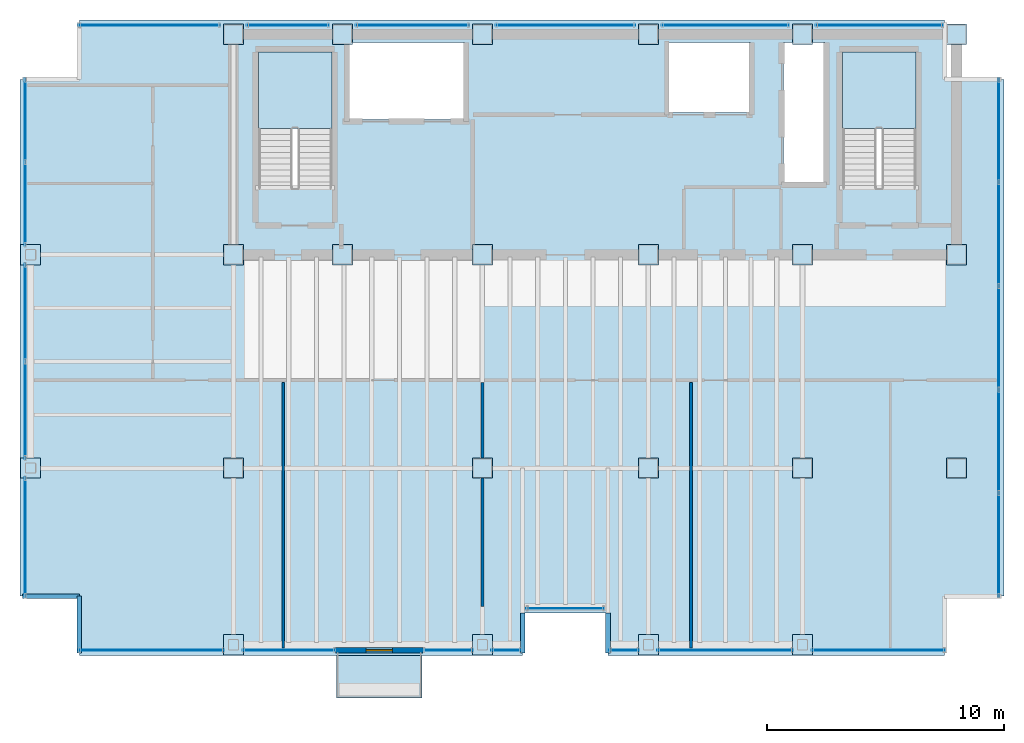
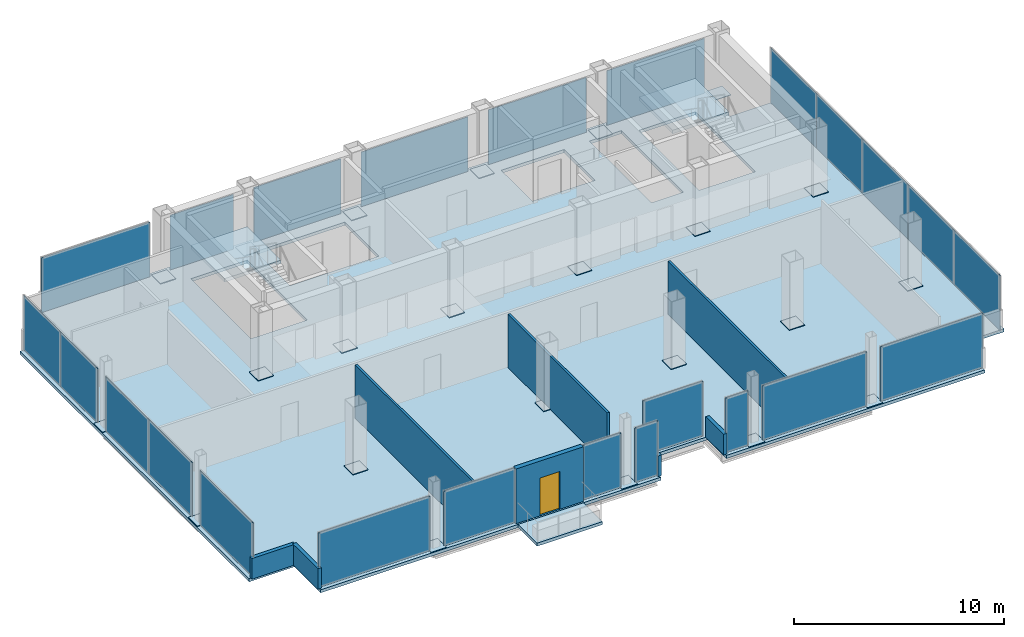
# One storey, part 13 of 16: 47 plates, 8 walls, 4 slabs, 1 door, 6 openings, 20 elements without a shape of their own.
"""IFC4 building model written with IfcOpenShell, lengths in metres."""

import ifcopenshell
import ifcopenshell.guid

model = None  # the IFC model being written
_history = None  # IfcOwnerHistory: only IFC2X3 demands one
_inside = {}  # id of a spatial element -> (the spatial element, [elements in it])
_under = {}  # id of a project, library or spatial element -> (it, [spatial elements below it])
_declared = {}  # id of a project -> (the project, [libraries it declares])
_typed = {}  # id of a type object -> (the type object, [elements of that type])
_made_of = {}  # id of a material, layer set ... -> (it, [elements and type objects made of it])


def new_model(schema):
    """Start an empty IFC model of exactly this schema.

    Asked for "IFC4X3", IfcOpenShell would pick the latest addendum, in which some entities
    have other attributes; the version numbers below select the first issue.
    IFC2X3 requires an IfcOwnerHistory on every rooted entity: one is made here for all.
    """
    global model, _history
    if schema == "IFC4X3":
        model = ifcopenshell.file(schema_version=(4, 3, 0, 0))
    else:
        model = ifcopenshell.file(schema=schema)
    _inside.clear()
    _under.clear()
    _declared.clear()
    _typed.clear()
    _made_of.clear()
    _history = None
    if model.schema == "IFC2X3":
        org = make("IfcOrganization", Name="unknown")
        user = make(
            "IfcPersonAndOrganization",
            ThePerson=make("IfcPerson", FamilyName="unknown"),
            TheOrganization=org,
        )
        app = make(
            "IfcApplication",
            ApplicationDeveloper=org,
            Version="unknown",
            ApplicationFullName="unknown",
            ApplicationIdentifier="unknown",
        )
        _history = make(
            "IfcOwnerHistory",
            OwningUser=user,
            OwningApplication=app,
            ChangeAction="ADDED",
            CreationDate=0,
        )
    return model


def make(cls, **values):
    """One entity of the class cls with the attributes given. An attribute that is None is left unset."""
    return model.create_entity(
        cls, **{name: value for name, value in values.items() if value is not None}
    )


def rooted(cls, **values):
    """An entity with a GlobalId (a new one), such as an element, a storey or a relation."""
    return make(cls, GlobalId=ifcopenshell.guid.new(), OwnerHistory=_history, **values)


def si_unit(unit_type, name, prefix=None):
    """IfcSIUnit, for example si_unit("LENGTHUNIT", "METRE", prefix="MILLI")."""
    return make("IfcSIUnit", UnitType=unit_type, Prefix=prefix, Name=name)


def assignment(units):
    """IfcUnitAssignment: the units of a project."""
    return None if units is None else make("IfcUnitAssignment", Units=units)


def point(xyz):
    """IfcCartesianPoint."""
    return None if xyz is None else make("IfcCartesianPoint", Coordinates=xyz)


def direction(xyz):
    """IfcDirection."""
    return None if xyz is None else make("IfcDirection", DirectionRatios=xyz)


def frame(location, z_axis=None, x_axis=None):
    """IfcAxis2Placement3D, a coordinate frame: its origin and axes. An axis left out is left unset."""
    return make(
        "IfcAxis2Placement3D",
        Location=point(location),
        Axis=direction(z_axis),
        RefDirection=direction(x_axis),
    )


def frame_2d(location, x_axis=None):
    """IfcAxis2Placement2D, a coordinate frame in the plane: its origin and x axis."""
    return make(
        "IfcAxis2Placement2D", Location=point(location), RefDirection=direction(x_axis)
    )


def origin():
    """The frame at (0, 0, 0) with its axes left unset."""
    return frame((0.0, 0.0, 0.0))


def origin_2d():
    """The frame at (0, 0) in the plane with its x axis left unset."""
    return frame_2d((0.0, 0.0))


def place(relative_to, where):
    """IfcLocalPlacement: puts the frame where relative to a parent placement (None: the world)."""
    return make(
        "IfcLocalPlacement", PlacementRelTo=relative_to, RelativePlacement=where
    )


def context(
    kind, dimensions, precision=None, world=None, true_north=None, identifier=None
):
    """IfcGeometricRepresentationContext, for example the 3D "Model" context."""
    return make(
        "IfcGeometricRepresentationContext",
        ContextIdentifier=identifier,
        ContextType=kind,
        CoordinateSpaceDimension=dimensions,
        Precision=precision,
        WorldCoordinateSystem=world,
        TrueNorth=true_north,
    )


def subcontext(parent, identifier, kind, view, scale=None):
    """IfcGeometricRepresentationSubContext, for example "Body" below "Model"."""
    return make(
        "IfcGeometricRepresentationSubContext",
        ContextIdentifier=identifier,
        ContextType=kind,
        ParentContext=parent,
        TargetScale=scale,
        TargetView=view,
    )


def project(units=None, contexts=None):
    """IfcProject with its units and contexts."""
    return rooted(
        "IfcProject",
        Name="project",
        RepresentationContexts=contexts,
        UnitsInContext=assignment(units),
    )


def spatial(cls, under=None, at=None, **own):
    """A site, building, storey or space (cls), placed at a placement, below another one or the project."""
    s = rooted(cls, ObjectPlacement=at, **own)
    if under is not None:
        _under.setdefault(under.id(), (under, []))[1].append(s)
    return s


def polyline(points):
    """IfcPolyline through the points."""
    return make("IfcPolyline", Points=[point(p) for p in points])


def profile(cls, at=None, kind="AREA", **sizes):
    """A parametric profile (cls). Its sizes go by their IFC names, for example OverallWidth=200.0."""
    return make(cls, ProfileType=kind, Position=at, **sizes)


def rectangle(**sizes):
    """IfcRectangleProfileDef."""
    return profile("IfcRectangleProfileDef", **sizes)


def outline(outer, holes=None, kind="AREA"):
    """IfcArbitraryClosedProfileDef: a profile drawn as a closed curve; with holes, ...WithVoids."""
    if holes is None:
        return make("IfcArbitraryClosedProfileDef", ProfileType=kind, OuterCurve=outer)
    return make(
        "IfcArbitraryProfileDefWithVoids",
        ProfileType=kind,
        OuterCurve=outer,
        InnerCurves=holes,
    )


def extrude(swept, where, along, depth):
    """IfcExtrudedAreaSolid: the profile swept, set in the frame where, extruded along a direction by depth."""
    return make(
        "IfcExtrudedAreaSolid",
        SweptArea=swept,
        Position=where,
        ExtrudedDirection=direction(along),
        Depth=depth,
    )


def shape(context_of_items, identifier, shape_type, items):
    """IfcShapeRepresentation: the items that make up one representation, for example the "Body"."""
    return make(
        "IfcShapeRepresentation",
        ContextOfItems=context_of_items,
        RepresentationIdentifier=identifier,
        RepresentationType=shape_type,
        Items=items,
    )


def material(Name=None, Category=None):
    """IfcMaterial."""
    return make("IfcMaterial", Name=Name, Category=Category)


def layer(
    of_material, thickness, ventilated=None, Name=None, Category=None, Priority=None
):
    """IfcMaterialLayer: one layer of a wall or slab, of a material (None: an air gap)."""
    return make(
        "IfcMaterialLayer",
        Material=of_material,
        LayerThickness=thickness,
        IsVentilated=ventilated,
        Name=Name,
        Category=Category,
        Priority=Priority,
    )


def layer_set(layers, Name=None):
    """IfcMaterialLayerSet."""
    return make("IfcMaterialLayerSet", MaterialLayers=layers, LayerSetName=Name)


def made_of(thing, what):
    """Note that an element or type object is made of a material, layer set ...; save() writes the relation."""
    if what is not None:
        _made_of.setdefault(what.id(), (what, []))[1].append(thing)
    return thing


def type_object(cls, material=None, **own):
    """A type object (cls), such as IfcWallType, which elements share."""
    return made_of(rooted(cls, **own), material)


def element(
    cls,
    number,
    at=None,
    inside=None,
    cuts=None,
    type_object=None,
    material=None,
    context=None,
    identifier="Body",
    shape_type=None,
    held_by="IfcProductDefinitionShape",
    body=None,
    shapes=None,
    **own,
):
    """One element of the class cls, such as IfcWall. Its Tag is "e" and its number.

    at: its placement. inside: the storey or other place that contains it. cuts: it is an
    opening in that element (IfcRelVoidsElement). A single representation is given by context,
    identifier, shape_type and body (its items); several are given by shapes. held_by: the class
    of the entity that holds the representations. save() writes the other relations.
    """
    e = rooted(cls, Tag="e%d" % number, ObjectPlacement=at, **own)
    if body is not None:
        shapes = [shape(context, identifier, shape_type, body)]
    if shapes is not None:
        e.Representation = make(held_by, Representations=shapes)
    if inside is not None:
        _inside.setdefault(inside.id(), (inside, []))[1].append(e)
    if cuts is not None:
        rooted(
            "IfcRelVoidsElement", RelatingBuildingElement=cuts, RelatedOpeningElement=e
        )
    if type_object is not None:
        _typed.setdefault(type_object.id(), (type_object, []))[1].append(e)
    return made_of(e, material)


def fill(opening, filler):
    """IfcRelFillsElement: the door or window that sits in an opening."""
    return rooted(
        "IfcRelFillsElement",
        RelatingOpeningElement=opening,
        RelatedBuildingElement=filler,
    )


def aggregate(whole, parts):
    """IfcRelAggregates: a whole, such as a stair, and the parts it consists of."""
    return rooted("IfcRelAggregates", RelatingObject=whole, RelatedObjects=parts)


def save(model, path):
    """Write the relations noted so far, then the file.

    IfcRelAggregates (storeys below a building ...), IfcRelContainedInSpatialStructure (elements
    in a storey), IfcRelDefinesByType, IfcRelAssociatesMaterial and IfcRelDeclares: one each for
    every whole, place, type object, material and project.
    """
    for whole, parts in _under.values():
        aggregate(whole, parts)
    for where, things in _inside.values():
        rooted(
            "IfcRelContainedInSpatialStructure",
            RelatedElements=things,
            RelatingStructure=where,
        )
    for kind, things in _typed.values():
        rooted("IfcRelDefinesByType", RelatedObjects=things, RelatingType=kind)
    for what, things in _made_of.values():
        rooted("IfcRelAssociatesMaterial", RelatedObjects=things, RelatingMaterial=what)
    for by, libraries in _declared.values():
        rooted("IfcRelDeclares", RelatingContext=by, RelatedDefinitions=libraries)
    model.write(path)


model = new_model("IFC4")

# Units and contexts
model_context = context("Model", 3, precision=1e-05, world=origin(), true_north=direction((0.0, 1.0)))
body_context = subcontext(model_context, "Body", "Model", "MODEL_VIEW")
ifc_project = project(units=[si_unit("LENGTHUNIT", "METRE"), si_unit("AREAUNIT", "SQUARE_METRE"), si_unit("VOLUMEUNIT", "CUBIC_METRE"), si_unit("PLANEANGLEUNIT", "RADIAN"), si_unit("MASSUNIT", "GRAM", prefix="KILO")], contexts=[model_context])

# Site, building, storey
site_placement = place(None, origin())
site = spatial("IfcSite", under=ifc_project, at=site_placement, CompositionType="ELEMENT")
building_placement = place(site_placement, origin())
building = spatial("IfcBuilding", under=site, at=building_placement, Name="Noeulbin Bourse Tower", CompositionType="ELEMENT")
storey_placement = place(building_placement, frame((0.0, 0.0, 238.39990234375)))
storey = spatial("IfcBuildingStorey", under=building, at=storey_placement, Name="L59", CompositionType="ELEMENT", Elevation=238.39990234375)

# Curtain wall, plate
ifc_material_1 = material(Name="High-Selectivity Low-Iron Glazing", Category="glass")
curtain_wall_type = type_object("IfcCurtainWallType", Name="CW-SYS-4", PredefinedType="NOTDEFINED", material=ifc_material_1)
curtain_wall_1_placement = place(storey_placement, origin())
curtain_wall_1 = element("IfcCurtainWall", 1, at=curtain_wall_1_placement, inside=storey, type_object=curtain_wall_type, Name="Unitised Curtain Wall CW-L59-SREC", PredefinedType="NOTDEFINED")
ifc_layer_1 = layer(ifc_material_1, 0.035888671875)
ifc_layer_set_1 = layer_set([ifc_layer_1], Name="High-Selectivity Low-Iron Glazing")
plate_type_1 = type_object("IfcPlateType", Name="CW-SYS-4-PNL", PredefinedType="CURTAIN_PANEL", material=ifc_layer_set_1)
plate_1_placement = place(storey_placement, frame((27.5, 14.080078125, 0.0), z_axis=(0.0, 0.0, 1.0), x_axis=(1.0, 0.0, 0.0)))
plate_1 = element("IfcPlate", 2, at=plate_1_placement, type_object=plate_type_1, Name="Glazed Curtain Panel CW-L59-SREC-P00", PredefinedType="CURTAIN_PANEL", context=body_context, shape_type="SweptSolid", body=[
    extrude(rectangle(XDim=3.300048828125, YDim=0.035888671875, at=origin_2d()), origin(), (0.0, 0.0, 1.0), 3.179931640625),
])
aggregate(curtain_wall_1, [plate_1])

curtain_wall_2_placement = place(storey_placement, origin())
curtain_wall_2 = element("IfcCurtainWall", 3, at=curtain_wall_2_placement, inside=storey, type_object=curtain_wall_type, Name="Unitised Curtain Wall CW-L59-S1-S1", PredefinedType="NOTDEFINED")
plate_2_placement = place(storey_placement, frame((10.047607421875, 12.320068359375, 0.0), z_axis=(0.0, 0.0, 1.0), x_axis=(1.0, 0.0, 0.0)))
plate_2 = element("IfcPlate", 4, at=plate_2_placement, type_object=plate_type_1, Name="Glazed Curtain Panel CW-L59-S1-S1-P00", PredefinedType="CURTAIN_PANEL", context=body_context, shape_type="SweptSolid", body=[
    extrude(rectangle(XDim=6.135009765625, YDim=0.035888671875, at=origin_2d()), origin(), (0.0, 0.0, 1.0), 3.179931640625),
])
aggregate(curtain_wall_2, [plate_2])

curtain_wall_3_placement = place(storey_placement, origin())
curtain_wall_3 = element("IfcCurtainWall", 5, at=curtain_wall_3_placement, inside=storey, type_object=curtain_wall_type, Name="Unitised Curtain Wall CW-L59-S1-S2", PredefinedType="NOTDEFINED")
plate_3_placement = place(storey_placement, frame((15.842529296875, 12.320068359375, 0.0), z_axis=(0.0, 0.0, 1.0), x_axis=(1.0, 0.0, 0.0)))
plate_3 = element("IfcPlate", 6, at=plate_3_placement, type_object=plate_type_1, Name="Glazed Curtain Panel CW-L59-S1-S2-P00", PredefinedType="CURTAIN_PANEL", context=body_context, shape_type="SweptSolid", body=[
    extrude(rectangle(XDim=3.9150390625, YDim=0.035888671875, at=origin_2d()), origin(), (0.0, 0.0, 1.0), 3.179931640625),
])
aggregate(curtain_wall_3, [plate_3])

curtain_wall_4_placement = place(storey_placement, origin())
curtain_wall_4 = element("IfcCurtainWall", 7, at=curtain_wall_4_placement, inside=storey, type_object=curtain_wall_type, Name="Unitised Curtain Wall CW-L59-S2-S1", PredefinedType="NOTDEFINED")
plate_4_placement = place(storey_placement, frame((22.5576171875, 12.320068359375, 0.0), z_axis=(0.0, 0.0, 1.0), x_axis=(1.0, 0.0, 0.0)))
plate_4 = element("IfcPlate", 8, at=plate_4_placement, type_object=plate_type_1, Name="Glazed Curtain Panel CW-L59-S2-S1-P00", PredefinedType="CURTAIN_PANEL", context=body_context, shape_type="SweptSolid", body=[
    extrude(rectangle(XDim=2.114990234375, YDim=0.035888671875, at=origin_2d()), origin(), (0.0, 0.0, 1.0), 3.179931640625),
])
aggregate(curtain_wall_4, [plate_4])

curtain_wall_5_placement = place(storey_placement, origin())
curtain_wall_5 = element("IfcCurtainWall", 9, at=curtain_wall_5_placement, inside=storey, type_object=curtain_wall_type, Name="Unitised Curtain Wall CW-L59-S2-S2", PredefinedType="NOTDEFINED")
plate_5_placement = place(storey_placement, frame((25.017578125, 12.320068359375, 0.0), z_axis=(0.0, 0.0, 1.0), x_axis=(1.0, 0.0, 0.0)))
plate_5 = element("IfcPlate", 10, at=plate_5_placement, type_object=plate_type_1, Name="Glazed Curtain Panel CW-L59-S2-S2-P00", PredefinedType="CURTAIN_PANEL", context=body_context, shape_type="SweptSolid", body=[
    extrude(rectangle(XDim=1.264892578125, YDim=0.035888671875, at=origin_2d()), origin(), (0.0, 0.0, 1.0), 3.179931640625),
])
aggregate(curtain_wall_5, [plate_5])

curtain_wall_6_placement = place(storey_placement, origin())
curtain_wall_6 = element("IfcCurtainWall", 11, at=curtain_wall_6_placement, inside=storey, type_object=curtain_wall_type, Name="Unitised Curtain Wall CW-L59-S3-S1", PredefinedType="NOTDEFINED")
plate_6_placement = place(storey_placement, frame((29.982421875, 12.320068359375, 0.0), z_axis=(0.0, 0.0, 1.0), x_axis=(1.0, 0.0, 0.0)))
plate_6 = element("IfcPlate", 12, at=plate_6_placement, type_object=plate_type_1, Name="Glazed Curtain Panel CW-L59-S3-S1-P00", PredefinedType="CURTAIN_PANEL", context=body_context, shape_type="SweptSolid", body=[
    extrude(rectangle(XDim=1.264892578125, YDim=0.035888671875, at=origin_2d()), origin(), (0.0, 0.0, 1.0), 3.179931640625),
])
aggregate(curtain_wall_6, [plate_6])

curtain_wall_7_placement = place(storey_placement, origin())
curtain_wall_7 = element("IfcCurtainWall", 13, at=curtain_wall_7_placement, inside=storey, type_object=curtain_wall_type, Name="Unitised Curtain Wall CW-L59-S3-S2", PredefinedType="NOTDEFINED")
plate_7_placement = place(storey_placement, frame((34.25, 12.320068359375, 0.0), z_axis=(0.0, 0.0, 1.0), x_axis=(1.0, 0.0, 0.0)))
plate_7 = element("IfcPlate", 14, at=plate_7_placement, type_object=plate_type_1, Name="Glazed Curtain Panel CW-L59-S3-S2-P00", PredefinedType="CURTAIN_PANEL", context=body_context, shape_type="SweptSolid", body=[
    extrude(rectangle(XDim=5.72998046875, YDim=0.035888671875, at=origin_2d()), origin(), (0.0, 0.0, 1.0), 3.179931640625),
])
aggregate(curtain_wall_7, [plate_7])

curtain_wall_8_placement = place(storey_placement, origin())
curtain_wall_8 = element("IfcCurtainWall", 15, at=curtain_wall_8_placement, inside=storey, type_object=curtain_wall_type, Name="Unitised Curtain Wall CW-L59-S3-S3", PredefinedType="NOTDEFINED")
plate_8_placement = place(storey_placement, frame((40.702392578125, 12.320068359375, 0.0), z_axis=(0.0, 0.0, 1.0), x_axis=(1.0, 0.0, 0.0)))
plate_8 = element("IfcPlate", 16, at=plate_8_placement, type_object=plate_type_1, Name="Glazed Curtain Panel CW-L59-S3-S3-P00", PredefinedType="CURTAIN_PANEL", context=body_context, shape_type="SweptSolid", body=[
    extrude(rectangle(XDim=5.635009765625, YDim=0.035888671875, at=origin_2d()), origin(), (0.0, 0.0, 1.0), 3.179931640625),
])
aggregate(curtain_wall_8, [plate_8])

curtain_wall_9_placement = place(storey_placement, origin())
curtain_wall_9 = element("IfcCurtainWall", 17, at=curtain_wall_9_placement, inside=storey, type_object=curtain_wall_type, Name="Unitised Curtain Wall CW-L59-N-S1", PredefinedType="NOTDEFINED")
plate_9_placement = place(storey_placement, frame((9.9599609375, 38.679931640625, 0.0), z_axis=(0.0, 0.0, 1.0), x_axis=(1.0, 0.0, 0.0)))
plate_9 = element("IfcPlate", 18, at=plate_9_placement, type_object=plate_type_1, Name="Glazed Curtain Panel CW-L59-N-S1-P00", PredefinedType="CURTAIN_PANEL", context=body_context, shape_type="SweptSolid", body=[
    extrude(rectangle(XDim=5.9599609375, YDim=0.035888671875, at=origin_2d()), origin(), (0.0, 0.0, 1.0), 3.179931640625),
])
aggregate(curtain_wall_9, [plate_9])

curtain_wall_10_placement = place(storey_placement, origin())
curtain_wall_10 = element("IfcCurtainWall", 19, at=curtain_wall_10_placement, inside=storey, type_object=curtain_wall_type, Name="Unitised Curtain Wall CW-L59-N-S2", PredefinedType="NOTDEFINED")
plate_10_placement = place(storey_placement, frame((15.800048828125, 38.679931640625, 0.0), z_axis=(0.0, 0.0, 1.0), x_axis=(1.0, 0.0, 0.0)))
plate_10 = element("IfcPlate", 20, at=plate_10_placement, type_object=plate_type_1, Name="Glazed Curtain Panel CW-L59-N-S2-P00", PredefinedType="CURTAIN_PANEL", context=body_context, shape_type="SweptSolid", body=[
    extrude(rectangle(XDim=3.47998046875, YDim=0.035888671875, at=origin_2d()), origin(), (0.0, 0.0, 1.0), 3.179931640625),
])
aggregate(curtain_wall_10, [plate_10])

curtain_wall_11_placement = place(storey_placement, origin())
curtain_wall_11 = element("IfcCurtainWall", 21, at=curtain_wall_11_placement, inside=storey, type_object=curtain_wall_type, Name="Unitised Curtain Wall CW-L59-N-S3", PredefinedType="NOTDEFINED")
plate_11_placement = place(storey_placement, frame((21.050048828125, 38.679931640625, 0.0), z_axis=(0.0, 0.0, 1.0), x_axis=(1.0, 0.0, 0.0)))
plate_11 = element("IfcPlate", 22, at=plate_11_placement, type_object=plate_type_1, Name="Glazed Curtain Panel CW-L59-N-S3-P00", PredefinedType="CURTAIN_PANEL", context=body_context, shape_type="SweptSolid", body=[
    extrude(rectangle(XDim=4.780029296875, YDim=0.035888671875, at=origin_2d()), origin(), (0.0, 0.0, 1.0), 3.179931640625),
])
aggregate(curtain_wall_11, [plate_11])

curtain_wall_12_placement = place(storey_placement, origin())
curtain_wall_12 = element("IfcCurtainWall", 23, at=curtain_wall_12_placement, inside=storey, type_object=curtain_wall_type, Name="Unitised Curtain Wall CW-L59-N-S4", PredefinedType="NOTDEFINED")
plate_12_placement = place(storey_placement, frame((27.5, 38.679931640625, 0.0), z_axis=(0.0, 0.0, 1.0), x_axis=(1.0, 0.0, 0.0)))
plate_12 = element("IfcPlate", 24, at=plate_12_placement, type_object=plate_type_1, Name="Glazed Curtain Panel CW-L59-N-S4-P00", PredefinedType="CURTAIN_PANEL", context=body_context, shape_type="SweptSolid", body=[
    extrude(rectangle(XDim=5.8798828125, YDim=0.035888671875, at=origin_2d()), origin(), (0.0, 0.0, 1.0), 3.179931640625),
])
aggregate(curtain_wall_12, [plate_12])

curtain_wall_13_placement = place(storey_placement, origin())
curtain_wall_13 = element("IfcCurtainWall", 25, at=curtain_wall_13_placement, inside=storey, type_object=curtain_wall_type, Name="Unitised Curtain Wall CW-L59-N-S5", PredefinedType="NOTDEFINED")
plate_13_placement = place(storey_placement, frame((34.25, 38.679931640625, 0.0), z_axis=(0.0, 0.0, 1.0), x_axis=(1.0, 0.0, 0.0)))
plate_13 = element("IfcPlate", 26, at=plate_13_placement, type_object=plate_type_1, Name="Glazed Curtain Panel CW-L59-N-S5-P00", PredefinedType="CURTAIN_PANEL", context=body_context, shape_type="SweptSolid", body=[
    extrude(rectangle(XDim=5.3798828125, YDim=0.035888671875, at=origin_2d()), origin(), (0.0, 0.0, 1.0), 3.179931640625),
])
aggregate(curtain_wall_13, [plate_13])

curtain_wall_14_placement = place(storey_placement, origin())
curtain_wall_14 = element("IfcCurtainWall", 27, at=curtain_wall_14_placement, inside=storey, type_object=curtain_wall_type, Name="Unitised Curtain Wall CW-L59-N-S6", PredefinedType="NOTDEFINED")
plate_14_placement = place(storey_placement, frame((40.75, 38.679931640625, 0.0), z_axis=(0.0, 0.0, 1.0), x_axis=(1.0, 0.0, 0.0)))
plate_14 = element("IfcPlate", 28, at=plate_14_placement, type_object=plate_type_1, Name="Glazed Curtain Panel CW-L59-N-S6-P00", PredefinedType="CURTAIN_PANEL", context=body_context, shape_type="SweptSolid", body=[
    extrude(rectangle(XDim=5.3798828125, YDim=0.035888671875, at=origin_2d()), origin(), (0.0, 0.0, 1.0), 3.179931640625),
])
aggregate(curtain_wall_14, [plate_14])

curtain_wall_15_placement = place(storey_placement, origin())
curtain_wall_15 = element("IfcCurtainWall", 29, at=curtain_wall_15_placement, inside=storey, type_object=curtain_wall_type, Name="Unitised Curtain Wall CW-L59-W-S1", PredefinedType="NOTDEFINED")
plate_15_placement = place(storey_placement, frame((4.719970703125, 17.097412109375, 0.0), z_axis=(0.0, 0.0, 1.0), x_axis=(0.0, 1.0, 0.0)))
plate_15 = element("IfcPlate", 30, at=plate_15_placement, type_object=plate_type_1, Name="Glazed Curtain Panel CW-L59-W-S1-P00", PredefinedType="CURTAIN_PANEL", context=body_context, shape_type="SweptSolid", body=[
    extrude(rectangle(XDim=5.034912109375, YDim=0.035888671875, at=origin_2d()), origin(), (0.0, 0.0, 1.0), 3.179931640625),
])
aggregate(curtain_wall_15, [plate_15])

# Curtain wall, plates
curtain_wall_16_placement = place(storey_placement, origin())
curtain_wall_16 = element("IfcCurtainWall", 31, at=curtain_wall_16_placement, inside=storey, type_object=curtain_wall_type, Name="Unitised Curtain Wall CW-L59-W-S2", PredefinedType="NOTDEFINED")
plate_16_placement = place(storey_placement, frame((4.719970703125, 22.4423828125, 0.0), z_axis=(0.0, 0.0, 1.0), x_axis=(0.0, 1.0, 0.0)))
plate_16 = element("IfcPlate", 32, at=plate_16_placement, type_object=plate_type_1, Name="Glazed Curtain Panel CW-L59-W-S2-P00", PredefinedType="CURTAIN_PANEL", context=body_context, shape_type="SweptSolid", body=[
    extrude(rectangle(XDim=4.114990234375, YDim=0.035888671875, at=origin_2d()), origin(), (0.0, 0.0, 1.0), 3.179931640625),
])
plate_17_placement = place(storey_placement, frame((4.719970703125, 26.5576171875, 0.0), z_axis=(0.0, 0.0, 1.0), x_axis=(0.0, 1.0, 0.0)))
plate_17 = element("IfcPlate", 33, at=plate_17_placement, type_object=plate_type_1, Name="Glazed Curtain Panel CW-L59-W-S2-P01", PredefinedType="CURTAIN_PANEL", context=body_context, shape_type="SweptSolid", body=[
    extrude(rectangle(XDim=4.114990234375, YDim=0.035888671875, at=origin_2d()), origin(), (0.0, 0.0, 1.0), 3.179931640625),
])
aggregate(curtain_wall_16, [plate_16, plate_17])

curtain_wall_17_placement = place(storey_placement, origin())
curtain_wall_17 = element("IfcCurtainWall", 34, at=curtain_wall_17_placement, inside=storey, type_object=curtain_wall_type, Name="Unitised Curtain Wall CW-L59-W-S3", PredefinedType="NOTDEFINED")
plate_18_placement = place(storey_placement, frame((4.719970703125, 31.143798828125, 0.0), z_axis=(0.0, 0.0, 1.0), x_axis=(0.0, 1.0, 0.0)))
plate_18 = element("IfcPlate", 35, at=plate_18_placement, type_object=plate_type_1, Name="Glazed Curtain Panel CW-L59-W-S3-P00", PredefinedType="CURTAIN_PANEL", context=body_context, shape_type="SweptSolid", body=[
    extrude(rectangle(XDim=3.517578125, YDim=0.035888671875, at=origin_2d()), origin(), (0.0, 0.0, 1.0), 3.179931640625),
])
plate_19_placement = place(storey_placement, frame((4.719970703125, 34.661376953125, 0.0), z_axis=(0.0, 0.0, 1.0), x_axis=(0.0, 1.0, 0.0)))
plate_19 = element("IfcPlate", 36, at=plate_19_placement, type_object=plate_type_1, Name="Glazed Curtain Panel CW-L59-W-S3-P01", PredefinedType="CURTAIN_PANEL", context=body_context, shape_type="SweptSolid", body=[
    extrude(rectangle(XDim=3.517578125, YDim=0.035888671875, at=origin_2d()), origin(), (0.0, 0.0, 1.0), 3.179931640625),
])
aggregate(curtain_wall_17, [plate_18, plate_19])

curtain_wall_18_placement = place(storey_placement, origin())
curtain_wall_18 = element("IfcCurtainWall", 37, at=curtain_wall_18_placement, inside=storey, type_object=curtain_wall_type, Name="Unitised Curtain Wall CW-L59-E", PredefinedType="NOTDEFINED")
plate_20_placement = place(storey_placement, frame((45.780029296875, 16.763916015625, 0.0), z_axis=(0.0, 0.0, 1.0), x_axis=(0.0, 1.0, 0.0)))
plate_20 = element("IfcPlate", 38, at=plate_20_placement, type_object=plate_type_1, Name="Glazed Curtain Panel CW-L59-E-P00", PredefinedType="CURTAIN_PANEL", context=body_context, shape_type="SweptSolid", body=[
    extrude(rectangle(XDim=4.367919921875, YDim=0.035888671875, at=origin_2d()), origin(), (0.0, 0.0, 1.0), 3.179931640625),
])
plate_21_placement = place(storey_placement, frame((45.780029296875, 21.132080078125, 0.0), z_axis=(0.0, 0.0, 1.0), x_axis=(0.0, 1.0, 0.0)))
plate_21 = element("IfcPlate", 39, at=plate_21_placement, type_object=plate_type_1, Name="Glazed Curtain Panel CW-L59-E-P01", PredefinedType="CURTAIN_PANEL", context=body_context, shape_type="SweptSolid", body=[
    extrude(rectangle(XDim=4.367919921875, YDim=0.035888671875, at=origin_2d()), origin(), (0.0, 0.0, 1.0), 3.179931640625),
])
plate_22_placement = place(storey_placement, frame((45.780029296875, 25.5, 0.0), z_axis=(0.0, 0.0, 1.0), x_axis=(0.0, 1.0, 0.0)))
plate_22 = element("IfcPlate", 40, at=plate_22_placement, type_object=plate_type_1, Name="Glazed Curtain Panel CW-L59-E-P02", PredefinedType="CURTAIN_PANEL", context=body_context, shape_type="SweptSolid", body=[
    extrude(rectangle(XDim=4.367919921875, YDim=0.035888671875, at=origin_2d()), origin(), (0.0, 0.0, 1.0), 3.179931640625),
])
plate_23_placement = place(storey_placement, frame((45.780029296875, 29.867919921875, 0.0), z_axis=(0.0, 0.0, 1.0), x_axis=(0.0, 1.0, 0.0)))
plate_23 = element("IfcPlate", 41, at=plate_23_placement, type_object=plate_type_1, Name="Glazed Curtain Panel CW-L59-E-P03", PredefinedType="CURTAIN_PANEL", context=body_context, shape_type="SweptSolid", body=[
    extrude(rectangle(XDim=4.367919921875, YDim=0.035888671875, at=origin_2d()), origin(), (0.0, 0.0, 1.0), 3.179931640625),
])
plate_24_placement = place(storey_placement, frame((45.780029296875, 34.236083984375, 0.0), z_axis=(0.0, 0.0, 1.0), x_axis=(0.0, 1.0, 0.0)))
plate_24 = element("IfcPlate", 42, at=plate_24_placement, type_object=plate_type_1, Name="Glazed Curtain Panel CW-L59-E-P04", PredefinedType="CURTAIN_PANEL", context=body_context, shape_type="SweptSolid", body=[
    extrude(rectangle(XDim=4.367919921875, YDim=0.035888671875, at=origin_2d()), origin(), (0.0, 0.0, 1.0), 3.179931640625),
])
aggregate(curtain_wall_18, [plate_20, plate_21, plate_22, plate_23, plate_24])

# Plates
ifc_material_2 = material(Name="Steel S355", Category="steel")
ifc_layer_2 = layer(ifc_material_2, 0.030029296875)
ifc_layer_set_2 = layer_set([ifc_layer_2], Name="Steel S355")
plate_type_2 = type_object("IfcPlateType", Name="PLT-BN1", PredefinedType="USERDEFINED", material=ifc_layer_set_2)
for number, where, z_axis, x_axis, name in (
    (43, (13.5, 29.0, 0.0048828125), (0.0, 0.0, 1.0), (1.0, 0.0, 0.0), "Mega-Column Splice Plate BN1-L59-01"),
    (44, (13.5, 38.300048828125, 0.0048828125), (0.0, 0.0, 1.0), (1.0, 0.0, 0.0), "Mega-Column Splice Plate BN1-L59-02"),
    (45, (18.10009765625, 29.0, 0.0048828125), (0.0, 0.0, 1.0), (1.0, 0.0, 0.0), "Mega-Column Splice Plate BN1-L59-03"),
    (46, (18.10009765625, 38.300048828125, 0.0048828125), (0.0, 0.0, 1.0), (1.0, 0.0, 0.0), "Mega-Column Splice Plate BN1-L59-04"),
    (47, (24.0, 29.0, 0.0048828125), (0.0, 0.0, 1.0), (1.0, 0.0, 0.0), "Mega-Column Splice Plate BN1-L59-05"),
    (48, (24.0, 38.300048828125, 0.0048828125), (0.0, 0.0, 1.0), (1.0, 0.0, 0.0), "Mega-Column Splice Plate BN1-L59-06"),
    (49, (31.0, 29.0, 0.0048828125), (0.0, 0.0, 1.0), (1.0, 0.0, 0.0), "Mega-Column Splice Plate BN1-L59-07"),
    (50, (31.0, 38.300048828125, 0.0048828125), (0.0, 0.0, 1.0), (1.0, 0.0, 0.0), "Mega-Column Splice Plate BN1-L59-08"),
    (51, (37.5, 29.0, 0.0048828125), (0.0, 0.0, 1.0), (1.0, 0.0, 0.0), "Mega-Column Splice Plate BN1-L59-09"),
    (52, (37.5, 38.300048828125, 0.0048828125), (0.0, 0.0, 1.0), (1.0, 0.0, 0.0), "Mega-Column Splice Plate BN1-L59-10"),
    (53, (44.0, 29.0, 0.0048828125), (0.0, 0.0, 1.0), (1.0, 0.0, 0.0), "Mega-Column Splice Plate BN1-L59-11"),
    (54, (44.0, 38.300048828125, 0.0048828125), (0.0, 0.0, 1.0), (1.0, 0.0, 0.0), "Mega-Column Splice Plate BN1-L59-12"),
    (55, (13.5, 20.0, 0.0048828125), (0.0, 0.0, 1.0), (1.0, 0.0, 0.0), "Mega-Column Splice Plate BN1-L59-13"),
    (56, (24.0, 20.0, 0.0048828125), (0.0, 0.0, 1.0), (1.0, 0.0, 0.0), "Mega-Column Splice Plate BN1-L59-14"),
    (57, (31.0, 20.0, 0.0048828125), (0.0, 0.0, 1.0), (1.0, 0.0, 0.0), "Mega-Column Splice Plate BN1-L59-15"),
    (58, (37.5, 20.0, 0.0048828125), (0.0, 0.0, 1.0), (1.0, 0.0, 0.0), "Mega-Column Splice Plate BN1-L59-16"),
    (59, (44.0, 20.0, 0.0048828125), (0.0, 0.0, 1.0), (1.0, 0.0, 0.0), "Mega-Column Splice Plate BN1-L59-17"),
    (60, (4.949951171875, 20.0, 0.0048828125), (0.0, 0.0, 1.0), (1.0, 0.0, 0.0), "Perimeter Column Splice Plate BN1-L59-01"),
    (61, (4.949951171875, 29.0, 0.0048828125), (0.0, 0.0, 1.0), (1.0, 0.0, 0.0), "Perimeter Column Splice Plate BN1-L59-02"),
    (62, (13.5, 12.550048828125, 0.0048828125), (0.0, 0.0, 1.0), (1.0, 0.0, 0.0), "Perimeter Column Splice Plate BN1-L59-03"),
    (63, (24.0, 12.550048828125, 0.0048828125), (0.0, 0.0, 1.0), (1.0, 0.0, 0.0), "Perimeter Column Splice Plate BN1-L59-04"),
    (64, (31.0, 12.550048828125, 0.0048828125), (0.0, 0.0, 1.0), (1.0, 0.0, 0.0), "Perimeter Column Splice Plate BN1-L59-05"),
    (65, (37.5, 12.550048828125, 0.0048828125), (0.0, 0.0, 1.0), (1.0, 0.0, 0.0), "Perimeter Column Splice Plate BN1-L59-06"),
):
    element("IfcPlate", number, at=place(storey_placement, frame(where, z_axis=z_axis, x_axis=x_axis)), inside=storey, type_object=plate_type_2, Name=name, ObjectType="SPLICE PLATE", PredefinedType="USERDEFINED", context=body_context, shape_type="SweptSolid", body=[
        extrude(rectangle(XDim=0.85009765625, YDim=0.85009765625, at=origin_2d()), origin(), (0.0, 0.0, 1.0), 0.030029296875),
    ])

# Stair, slab
ifc_material_3 = material(Name="Concrete C40/50", Category="concrete")
stair_type = type_object("IfcStairType", Name="STR-CORE-1560", PredefinedType="HALF_TURN_STAIR", material=ifc_material_3)
stair_1_placement = place(storey_placement, origin())
stair_1 = element("IfcStair", 66, at=stair_1_placement, inside=storey, type_object=stair_type, Name="L59 ST-1", PredefinedType="HALF_TURN_STAIR")
ifc_layer_3 = layer(ifc_material_3, 0.199951171875)
ifc_layer_set_3 = layer_set([ifc_layer_3], Name="Concrete C40/50")
slab_type_1 = type_object("IfcSlabType", Name="SLB-LND-200", PredefinedType="LANDING", material=ifc_layer_set_3)
slab_1_placement = place(storey_placement, frame((0.0, 0.0, 1.75)))
slab_1 = element("IfcSlab", 67, at=slab_1_placement, type_object=slab_type_1, Name="ST-1 landing 1", PredefinedType="LANDING", context=body_context, shape_type="SweptSolid", body=[
    extrude(outline(polyline([(17.64990234375, 34.330078125), (17.64990234375, 37.5439453125), (14.550048828125, 37.5439453125), (14.550048828125, 34.330078125), (17.64990234375, 34.330078125)])), origin(), (0.0, 0.0, 1.0), 0.2001953125),
])
aggregate(stair_1, [slab_1])

stair_2_placement = place(storey_placement, origin())
stair_2 = element("IfcStair", 68, at=stair_2_placement, inside=storey, type_object=stair_type, Name="L59 ST-2", PredefinedType="HALF_TURN_STAIR")
slab_2_placement = place(storey_placement, frame((0.0, 0.0, 1.75)))
slab_2 = element("IfcSlab", 69, at=slab_2_placement, type_object=slab_type_1, Name="ST-2 landing 1", PredefinedType="LANDING", context=body_context, shape_type="SweptSolid", body=[
    extrude(outline(polyline([(42.280029296875, 34.330078125), (42.280029296875, 37.5439453125), (39.179931640625, 37.5439453125), (39.179931640625, 34.330078125), (42.280029296875, 34.330078125)])), origin(), (0.0, 0.0, 1.0), 0.2001953125),
])
aggregate(stair_2, [slab_2])

# Slab, openings
ifc_layer_4 = layer(ifc_material_3, 0.179931640625)
ifc_layer_set_4 = layer_set([ifc_layer_4], Name="Concrete C40/50")
slab_type_2 = type_object("IfcSlabType", Name="SLB-TYP-180", PredefinedType="FLOOR", material=ifc_layer_set_4)
slab_3_placement = place(storey_placement, frame((0.0, 0.0, -0.179931640625)))
slab_3 = element("IfcSlab", 70, at=slab_3_placement, inside=storey, type_object=slab_type_2, Name="Tower Structural Floor Slab L59", PredefinedType="FLOOR", context=body_context, shape_type="SweptSolid", body=[
    extrude(outline(polyline([(7.0, 12.10009765625), (25.699951171875, 12.10009765625), (25.699951171875, 13.89990234375), (29.300048828125, 13.89990234375), (29.300048828125, 12.10009765625), (43.5, 12.10009765625), (43.5, 14.60009765625), (46.0, 14.60009765625), (46.0, 36.39990234375), (43.5, 36.39990234375), (43.5, 38.89990234375), (7.0, 38.89990234375), (7.0, 36.39990234375), (4.5, 36.39990234375), (4.5, 14.60009765625), (7.0, 14.60009765625), (7.0, 12.10009765625)]), holes=[polyline([(17.64990234375, 31.81005859375), (17.64990234375, 37.5439453125), (14.550048828125, 37.5439453125), (14.550048828125, 31.81005859375), (17.64990234375, 31.81005859375)]), polyline([(42.280029296875, 31.81005859375), (42.280029296875, 37.5439453125), (39.179931640625, 37.5439453125), (39.179931640625, 31.81005859375), (42.280029296875, 31.81005859375)]), polyline([(18.35009765625, 34.699951171875), (23.25, 34.699951171875), (23.25, 37.949951171875), (18.35009765625, 37.949951171875), (18.35009765625, 34.699951171875)]), polyline([(36.699951171875, 32.050048828125), (38.449951171875, 32.050048828125), (38.449951171875, 37.949951171875), (36.699951171875, 37.949951171875), (36.699951171875, 32.050048828125)]), polyline([(31.85009765625, 35.0), (35.300048828125, 35.0), (35.300048828125, 37.949951171875), (31.85009765625, 37.949951171875), (31.85009765625, 35.0)])]), origin(), (0.0, 0.0, 1.0), 0.179931640625),
])
opening_1_placement = place(slab_3_placement, frame((0.0, 0.0, -0.010009765625)))
element("IfcOpeningElement", 71, at=opening_1_placement, cuts=slab_3, Name="Slab Shaft Opening SLB-L59-TWR-1", PredefinedType="OPENING", context=body_context, shape_type="SweptSolid", body=[
    extrude(outline(polyline([(17.64990234375, 31.81005859375), (17.64990234375, 37.5439453125), (14.550048828125, 37.5439453125), (14.550048828125, 31.81005859375), (17.64990234375, 31.81005859375)])), origin(), (0.0, 0.0, 1.0), 0.199951171875),
])
opening_2_placement = place(slab_3_placement, frame((0.0, 0.0, -0.010009765625)))
element("IfcOpeningElement", 72, at=opening_2_placement, cuts=slab_3, Name="Slab Shaft Opening SLB-L59-TWR-2", PredefinedType="OPENING", context=body_context, shape_type="SweptSolid", body=[
    extrude(outline(polyline([(42.280029296875, 31.81005859375), (42.280029296875, 37.5439453125), (39.179931640625, 37.5439453125), (39.179931640625, 31.81005859375), (42.280029296875, 31.81005859375)])), origin(), (0.0, 0.0, 1.0), 0.199951171875),
])
opening_3_placement = place(slab_3_placement, frame((0.0, 0.0, -0.010009765625)))
element("IfcOpeningElement", 73, at=opening_3_placement, cuts=slab_3, Name="Slab Shaft Opening SLB-L59-TWR-3", PredefinedType="OPENING", context=body_context, shape_type="SweptSolid", body=[
    extrude(outline(polyline([(18.35009765625, 34.699951171875), (23.25, 34.699951171875), (23.25, 37.949951171875), (18.35009765625, 37.949951171875), (18.35009765625, 34.699951171875)])), origin(), (0.0, 0.0, 1.0), 0.199951171875),
])
opening_4_placement = place(slab_3_placement, frame((0.0, 0.0, -0.010009765625)))
element("IfcOpeningElement", 74, at=opening_4_placement, cuts=slab_3, Name="Slab Shaft Opening SLB-L59-TWR-4", PredefinedType="OPENING", context=body_context, shape_type="SweptSolid", body=[
    extrude(outline(polyline([(36.699951171875, 32.050048828125), (38.449951171875, 32.050048828125), (38.449951171875, 37.949951171875), (36.699951171875, 37.949951171875), (36.699951171875, 32.050048828125)])), origin(), (0.0, 0.0, 1.0), 0.199951171875),
])
opening_5_placement = place(slab_3_placement, frame((0.0, 0.0, -0.010009765625)))
element("IfcOpeningElement", 75, at=opening_5_placement, cuts=slab_3, Name="Slab Shaft Opening SLB-L59-TWR-5", PredefinedType="OPENING", context=body_context, shape_type="SweptSolid", body=[
    extrude(outline(polyline([(31.85009765625, 35.0), (35.300048828125, 35.0), (35.300048828125, 37.949951171875), (31.85009765625, 37.949951171875), (31.85009765625, 35.0)])), origin(), (0.0, 0.0, 1.0), 0.199951171875),
])

# Slab
slab_4_placement = place(storey_placement, frame((0.0, 0.0, -0.179931640625)))
element("IfcSlab", 76, at=slab_4_placement, inside=storey, type_object=slab_type_2, Name="Cantilevered Tree-Balcony Slab L59", PredefinedType="FLOOR", context=body_context, shape_type="SweptSolid", body=[
    extrude(outline(polyline([(17.85009765625, 10.300048828125), (21.449951171875, 10.300048828125), (21.449951171875, 12.10009765625), (17.85009765625, 12.10009765625), (17.85009765625, 10.300048828125)])), origin(), (0.0, 0.0, 1.0), 0.179931640625),
])

# Wall, opening, door
ifc_material_4 = material(Name="Precast Concrete C40/50", Category="concrete")
ifc_layer_5 = layer(ifc_material_4, 0.25)
ifc_layer_set_5 = layer_set([ifc_layer_5], Name="Precast Concrete C40/50")
wall_type_1 = type_object("IfcWallType", Name="WAL-EXT-250", PredefinedType="STANDARD", material=ifc_layer_set_5)
wall_1_placement = place(storey_placement, frame((17.800048828125, 12.320068359375, 0.0), z_axis=(0.0, 0.0, 1.0), x_axis=(1.0, 0.0, 0.0)))
wall_1 = element("IfcWall", 77, at=wall_1_placement, inside=storey, type_object=wall_type_1, Name="Balcony Threshold Wall L59", PredefinedType="STANDARD", context=body_context, shape_type="SweptSolid", body=[
    extrude(rectangle(XDim=3.699951171875, YDim=0.25, at=frame_2d((1.85009765625, 0.0))), origin(), (0.0, 0.0, 1.0), 3.18017578125),
])
opening_6_placement = place(wall_1_placement, frame((1.300048828125, 0.0, 0.0)))
opening_6 = element("IfcOpeningElement", 78, at=opening_6_placement, cuts=wall_1, Name="Opening BD-11", PredefinedType="OPENING", context=body_context, shape_type="SweptSolid", body=[
    extrude(rectangle(XDim=1.10009765625, YDim=2.199951171875, at=frame_2d((0.550048828125, 1.10009765625))), frame((0.0, 0.135009765625, 0.0), z_axis=(0.0, -1.0, 0.0), x_axis=(1.0, 0.0, 0.0)), (0.0, 0.0, 1.0), 0.27001953125),
])
ifc_material_5 = material(Name="Thermally Broken Aluminium Framed Glass", Category="aluminium")
door_type = type_object("IfcDoorType", Name="DR-BAL-1100", OperationType="SINGLE_SWING_LEFT", PredefinedType="DOOR", material=ifc_material_5)
door_placement = place(opening_6_placement, origin())
door = element("IfcDoor", 79, at=door_placement, inside=storey, type_object=door_type, Name="Tree-Balcony Access Door BD-L59", OperationType="SINGLE_SWING_LEFT", OverallHeight=2.199951171875, OverallWidth=1.10009765625, PredefinedType="DOOR", context=body_context, shape_type="SweptSolid", body=[
    extrude(rectangle(XDim=1.10009765625, YDim=2.199951171875, at=frame_2d((0.550048828125, 1.10009765625))), frame((0.0, 0.02490234375, 0.0), z_axis=(0.0, -1.0, 0.0), x_axis=(1.0, 0.0, 0.0)), (0.0, 0.0, 1.0), 0.050048828125),
])
fill(opening_6, door)

# Walls
ifc_layer_6 = layer(ifc_material_3, 0.199951171875)
ifc_layer_set_6 = layer_set([ifc_layer_6], Name="Concrete C40/50")
wall_type_2 = type_object("IfcWallType", Name="WAL-PAR-200", PredefinedType="PARAPET", material=ifc_layer_set_6)
wall_2_placement = place(storey_placement, frame((4.60009765625, 14.60009765625, 0.0), z_axis=(0.0, 0.0, 1.0), x_axis=(1.0, 0.0, 0.0)))
element("IfcWall", 80, at=wall_2_placement, inside=storey, type_object=wall_type_2, Name="Corner Notch Parapet L59-SW1", PredefinedType="PARAPET", context=body_context, shape_type="SweptSolid", body=[
    extrude(rectangle(XDim=2.39990234375, YDim=0.199951171875, at=frame_2d((1.199951171875, 0.0))), origin(), (0.0, 0.0, 1.0), 1.2001953125),
])
wall_3_placement = place(storey_placement, frame((7.0, 14.60009765625, 0.0), z_axis=(0.0, 0.0, 1.0), x_axis=(0.0, -1.0, 0.0)))
element("IfcWall", 81, at=wall_3_placement, inside=storey, type_object=wall_type_2, Name="Corner Notch Parapet L59-SW2", PredefinedType="PARAPET", context=body_context, shape_type="SweptSolid", body=[
    extrude(rectangle(XDim=2.400146484375, YDim=0.199951171875, at=frame_2d((1.2001953125, 0.0))), origin(), (0.0, 0.0, 1.0), 1.2001953125),
])
for number, where, z_axis, x_axis, name in (
    (82, (25.699951171875, 12.199951171875, 0.0), (0.0, 0.0, 1.0), (0.0, 1.0, 0.0), "Sky-Garden Recess Parapet L59-W"),
    (83, (29.300048828125, 13.89990234375, 0.0), (0.0, 0.0, 1.0), (0.0, -1.0, 0.0), "Sky-Garden Recess Parapet L59-E"),
):
    element("IfcWall", number, at=place(storey_placement, frame(where, z_axis=z_axis, x_axis=x_axis)), inside=storey, type_object=wall_type_2, Name=name, PredefinedType="PARAPET", context=body_context, shape_type="SweptSolid", body=[
        extrude(rectangle(XDim=1.699951171875, YDim=0.199951171875, at=frame_2d((0.85009765625, 0.0))), origin(), (0.0, 0.0, 1.0), 1.2001953125),
    ])
ifc_material_6 = material(Name="Steel Stud Gypsum Partition", Category="steel")
ifc_layer_7 = layer(ifc_material_6, 0.1201171875)
ifc_layer_set_7 = layer_set([ifc_layer_7], Name="Steel Stud Gypsum Partition")
wall_type_3 = type_object("IfcWallType", Name="WAL-PRT-120", PredefinedType="PARTITIONING", material=ifc_layer_set_7)
wall_4_placement = place(storey_placement, frame((15.60009765625, 12.409912109375, 0.0), z_axis=(0.0, 0.0, 1.0), x_axis=(0.0, 1.0, 0.0)))
element("IfcWall", 84, at=wall_4_placement, inside=storey, type_object=wall_type_3, Name="Interior Partition Wall L59-14", PredefinedType="PARTITIONING", context=body_context, shape_type="SweptSolid", body=[
    extrude(rectangle(XDim=11.205078125, YDim=0.1201171875, at=frame_2d((5.6025390625, 0.0))), origin(), (0.0, 0.0, 1.0), 3.10009765625),
])
wall_5_placement = place(storey_placement, frame((24.0, 14.169921875, 0.0), z_axis=(0.0, 0.0, 1.0), x_axis=(0.0, 1.0, 0.0)))
element("IfcWall", 85, at=wall_5_placement, inside=storey, type_object=wall_type_3, Name="Interior Partition Wall L59-15", PredefinedType="PARTITIONING", context=body_context, shape_type="SweptSolid", body=[
    extrude(rectangle(XDim=9.445068359375, YDim=0.1201171875, at=frame_2d((4.72265625, 0.0))), origin(), (0.0, 0.0, 1.0), 3.10009765625),
])
wall_6_placement = place(storey_placement, frame((32.800048828125, 12.409912109375, 0.0), z_axis=(0.0, 0.0, 1.0), x_axis=(0.0, 1.0, 0.0)))
element("IfcWall", 86, at=wall_6_placement, inside=storey, type_object=wall_type_3, Name="Interior Partition Wall L59-16", PredefinedType="PARTITIONING", context=body_context, shape_type="SweptSolid", body=[
    extrude(rectangle(XDim=11.205078125, YDim=0.1201171875, at=frame_2d((5.6025390625, 0.0))), origin(), (0.0, 0.0, 1.0), 3.10009765625),
])

save(model, "model.ifc")
